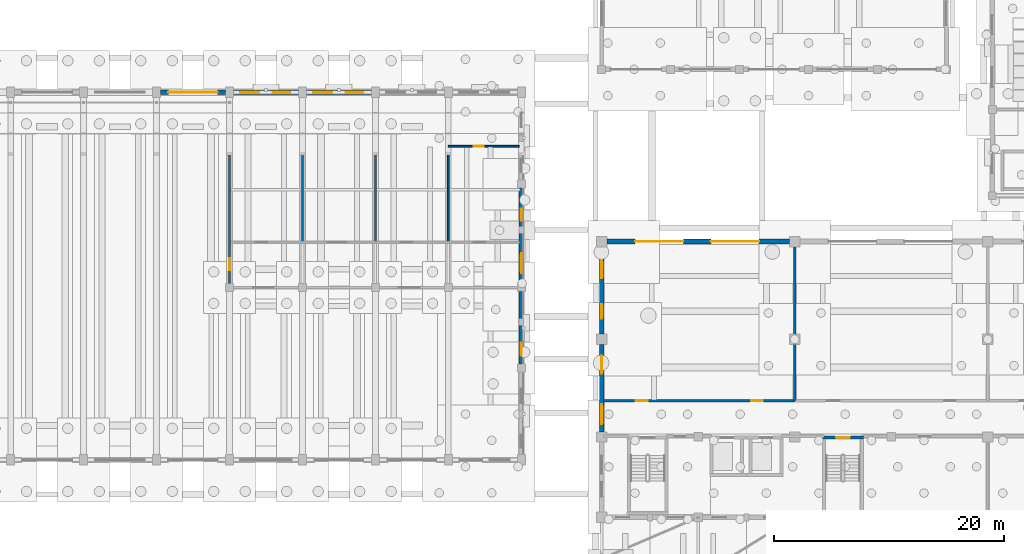
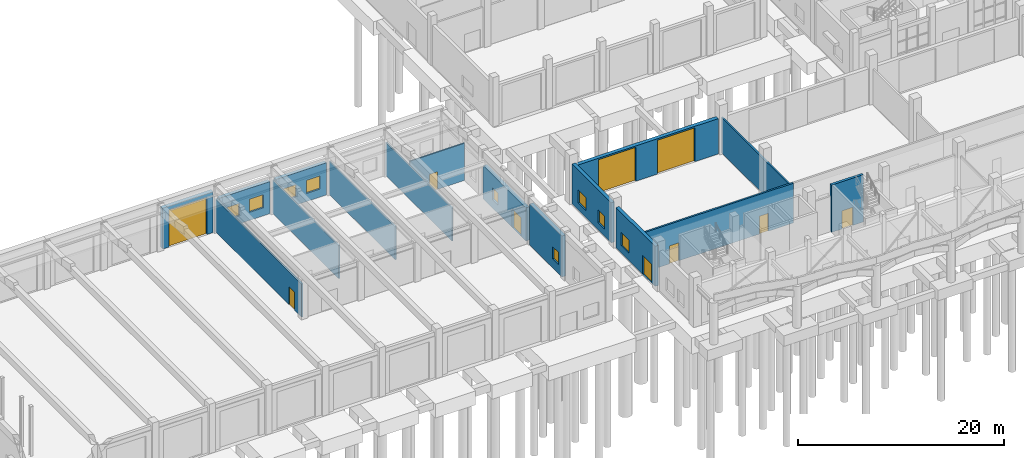
# One storey, part 39 of 60: 16 walls, 10 doors, 9 windows, 19 openings.
"""IFC4 building model written with IfcOpenShell, lengths in metres."""

from ifc_helpers import new_model, si_unit, direction, frame, frame_2d, origin, place, context, subcontext, project, spatial, rectangle, extrude, material, layer, layer_set, type_object, element, fill, save


model = new_model("IFC4")

# Units and contexts
model_context = context("Model", 3, precision=1e-05, world=origin(), true_north=direction((0.0, 1.0)))
body_context = subcontext(model_context, "Body", "Model", "MODEL_VIEW")
ifc_project = project(units=[si_unit("LENGTHUNIT", "METRE"), si_unit("AREAUNIT", "SQUARE_METRE"), si_unit("VOLUMEUNIT", "CUBIC_METRE"), si_unit("PLANEANGLEUNIT", "RADIAN"), si_unit("MASSUNIT", "GRAM", prefix="KILO")], contexts=[model_context])

# Site, building, storey
site_placement = place(None, origin())
site = spatial("IfcSite", under=ifc_project, at=site_placement, CompositionType="ELEMENT")
building_placement = place(site_placement, origin())
building = spatial("IfcBuilding", under=site, at=building_placement, Name="Trellovar Central Fire Station", CompositionType="ELEMENT")
storey_placement = place(building_placement, origin())
storey = spatial("IfcBuildingStorey", under=building, at=storey_placement, Name="L01", CompositionType="ELEMENT", Elevation=0.0)

# Wall, opening, door
ifc_material_1 = material(Name="Catalan polychrome brickwork with insulated cavity", Category="masonry")
ifc_layer_1 = layer(ifc_material_1, 0.419921875)
ifc_layer_set_1 = layer_set([ifc_layer_1], Name="Catalan polychrome brickwork with insulated cavity")
wall_type_1 = type_object("IfcWallType", Name="EW-1", PredefinedType="STANDARD", material=ifc_layer_set_1)
wall_1_placement = place(storey_placement, frame((72.75, 46.0, 0.0), z_axis=(0.0, 0.0, 1.0), x_axis=(-1.0, 0.0, 0.0)))
wall_1 = element("IfcWall", 1, at=wall_1_placement, inside=storey, type_object=wall_type_1, Name="V1 north facade bay 6", PredefinedType="STANDARD", context=body_context, shape_type="SweptSolid", body=[
    extrude(rectangle(XDim=5.64990234375, YDim=0.419921875, at=frame_2d((2.824951171875, 0.0))), origin(), (0.0, 0.0, 1.0), 4.840087890625),
])
opening_1_placement = place(wall_1_placement, frame((0.675048828125, 0.0, 0.0)))
opening_1 = element("IfcOpeningElement", 2, at=opening_1_placement, cuts=wall_1, Name="Opening BD-6", PredefinedType="OPENING", context=body_context, shape_type="SweptSolid", body=[
    extrude(rectangle(XDim=4.300048828125, YDim=4.39990234375, at=frame_2d((2.14990234375, 2.199951171875))), frame((0.0, 0.219970703125, 0.0), z_axis=(0.0, -1.0, 0.0), x_axis=(1.0, 0.0, 0.0)), (0.0, 0.0, 1.0), 0.43994140625),
])
ifc_material_2 = material(Name="Glazed terracotta-orange insulated steel roller shutter", Category="masonry")
door_type_1 = type_object("IfcDoorType", Name="DR-BAY6", OperationType="ROLLINGUP", PredefinedType="DOOR", material=ifc_material_2)
door_1_placement = place(opening_1_placement, origin())
door_1 = element("IfcDoor", 3, at=door_1_placement, inside=storey, type_object=door_type_1, Name="North yard drive-through bay 6 door", OperationType="ROLLINGUP", OverallHeight=4.39990234375, OverallWidth=4.300048828125, PredefinedType="DOOR", context=body_context, shape_type="SweptSolid", body=[
    extrude(rectangle(XDim=4.300048828125, YDim=4.39990234375, at=frame_2d((2.14990234375, 2.199951171875))), frame((0.0, 0.02490234375, 0.0), z_axis=(0.0, -1.0, 0.0), x_axis=(1.0, 0.0, 0.0)), (0.0, 0.0, 1.0), 0.050048828125),
])
fill(opening_1, door_1)

# Wall, opening, window
wall_2_placement = place(storey_placement, frame((98.5, 22.35009765625, 0.0), z_axis=(0.0, 0.0, 1.0), x_axis=(0.0, 1.0, 0.0)))
wall_2 = element("IfcWall", 4, at=wall_2_placement, inside=storey, type_object=wall_type_1, Name="V1 E gable lower wall 2", PredefinedType="STANDARD", context=body_context, shape_type="SweptSolid", body=[
    extrude(rectangle(XDim=6.2998046875, YDim=0.419921875, at=frame_2d((3.14990234375, 0.0))), origin(), (0.0, 0.0, 1.0), 4.840087890625),
])
opening_2_placement = place(wall_2_placement, frame((0.699951171875, 0.0, 1.050048828125)))
opening_2 = element("IfcOpeningElement", 5, at=opening_2_placement, cuts=wall_2, Name="Opening W-01", PredefinedType="OPENING", context=body_context, shape_type="SweptSolid", body=[
    extrude(rectangle(XDim=1.14990234375, YDim=1.449951171875, at=frame_2d((0.574951171875, 0.72509765625))), frame((0.0, 0.219970703125, 0.0), z_axis=(0.0, -1.0, 0.0), x_axis=(1.0, 0.0, 0.0)), (0.0, 0.0, 1.0), 0.43994140625),
])
ifc_material_3 = material(Name="Thermally broken bronze anodized aluminum", Category="aluminium")
window_type_1 = type_object("IfcWindowType", Name="WIN-01", PartitioningType="SINGLE_PANEL", PredefinedType="WINDOW", material=ifc_material_3)
window_1_placement = place(opening_2_placement, origin())
window_1 = element("IfcWindow", 6, at=window_1_placement, inside=storey, type_object=window_type_1, Name="L01 window W-01", OverallHeight=1.449951171875, OverallWidth=1.14990234375, PartitioningType="SINGLE_PANEL", PredefinedType="WINDOW", context=body_context, shape_type="SweptSolid", body=[
    extrude(rectangle(XDim=1.14990234375, YDim=1.449951171875, at=frame_2d((0.574951171875, 0.72509765625))), frame((0.0, 0.030029296875, 0.0), z_axis=(0.0, -1.0, 0.0), x_axis=(1.0, 0.0, 0.0)), (0.0, 0.0, 1.0), 0.06005859375),
])
fill(opening_2, window_1)

# Wall, openings, door, window
wall_3_placement = place(storey_placement, frame((98.5, 29.35009765625, 0.0), z_axis=(0.0, 0.0, 1.0), x_axis=(0.0, 1.0, 0.0)))
wall_3 = element("IfcWall", 7, at=wall_3_placement, inside=storey, type_object=wall_type_1, Name="V1 E gable lower wall 3", PredefinedType="STANDARD", context=body_context, shape_type="SweptSolid", body=[
    extrude(rectangle(XDim=8.2998046875, YDim=0.419921875, at=frame_2d((4.14990234375, 0.0))), origin(), (0.0, 0.0, 1.0), 3.927978515625),
])
opening_3_placement = place(wall_3_placement, frame((0.89990234375, 0.0, 0.0)))
opening_3 = element("IfcOpeningElement", 8, at=opening_3_placement, cuts=wall_3, Name="Opening EX-2", PredefinedType="OPENING", context=body_context, shape_type="SweptSolid", body=[
    extrude(rectangle(XDim=1.75, YDim=2.199951171875, at=frame_2d((0.875, 1.10009765625))), frame((0.0, 0.219970703125, 0.0), z_axis=(0.0, -1.0, 0.0), x_axis=(1.0, 0.0, 0.0)), (0.0, 0.0, 1.0), 0.43994140625),
])
opening_4_placement = place(wall_3_placement, frame((5.449951171875, 0.0, 1.0)))
opening_4 = element("IfcOpeningElement", 9, at=opening_4_placement, cuts=wall_3, Name="Opening W-11", PredefinedType="OPENING", context=body_context, shape_type="SweptSolid", body=[
    extrude(rectangle(XDim=1.050048828125, YDim=1.39990234375, at=frame_2d((0.52490234375, 0.699951171875))), frame((0.0, 0.219970703125, 0.0), z_axis=(0.0, -1.0, 0.0), x_axis=(1.0, 0.0, 0.0)), (0.0, 0.0, 1.0), 0.43994140625),
])
ifc_material_4 = material(Name="Hollow galvanized steel with acoustic core", Category="steel")
door_type_2 = type_object("IfcDoorType", Name="DR-EXT2", OperationType="DOUBLE_DOOR_SINGLE_SWING", PredefinedType="DOOR", material=ifc_material_4)
door_2_placement = place(opening_3_placement, frame((1.75, 0.0, 0.0), z_axis=(0.0, 0.0, 1.0), x_axis=(-1.0, 0.0, 0.0)))
door_2 = element("IfcDoor", 10, at=door_2_placement, inside=storey, type_object=door_type_2, Name="Bay support corridor east courtyard exit", OperationType="DOUBLE_DOOR_SINGLE_SWING", OverallHeight=2.199951171875, OverallWidth=1.75, PredefinedType="DOOR", context=body_context, shape_type="SweptSolid", body=[
    extrude(rectangle(XDim=1.75, YDim=2.199951171875, at=frame_2d((0.875, 1.10009765625))), frame((0.0, 0.02490234375, 0.0), z_axis=(0.0, -1.0, 0.0), x_axis=(1.0, 0.0, 0.0)), (0.0, 0.0, 1.0), 0.050048828125),
])
fill(opening_3, door_2)
ifc_material_5 = material(Name="Thermally broken bronze anodized aluminum", Category="aluminium")
window_type_2 = type_object("IfcWindowType", Name="WIN-11", PartitioningType="SINGLE_PANEL", PredefinedType="WINDOW", material=ifc_material_5)
window_2_placement = place(opening_4_placement, origin())
window_2 = element("IfcWindow", 11, at=window_2_placement, inside=storey, type_object=window_type_2, Name="L01 window W-11", OverallHeight=1.39990234375, OverallWidth=1.050048828125, PartitioningType="SINGLE_PANEL", PredefinedType="WINDOW", context=body_context, shape_type="SweptSolid", body=[
    extrude(rectangle(XDim=1.050048828125, YDim=1.39990234375, at=frame_2d((0.52490234375, 0.699951171875))), frame((0.0, 0.030029296875, 0.0), z_axis=(0.0, -1.0, 0.0), x_axis=(1.0, 0.0, 0.0)), (0.0, 0.0, 1.0), 0.06005859375),
])
fill(opening_4, window_2)

# Wall, openings, doors
wall_4_placement = place(storey_placement, frame((121.85009765625, 33.0, 0.0), z_axis=(0.0, 0.0, 1.0), x_axis=(-1.0, 0.0, 0.0)))
wall_4 = element("IfcWall", 12, at=wall_4_placement, inside=storey, type_object=wall_type_1, Name="V5 reserve bay 1 north wall", PredefinedType="STANDARD", context=body_context, shape_type="SweptSolid", body=[
    extrude(rectangle(XDim=15.900146484375, YDim=0.419921875, at=frame_2d((7.9501953125, 0.0))), origin(), (0.0, 0.0, 1.0), 4.18994140625),
])
opening_5_placement = place(wall_4_placement, frame((2.64990234375, 0.0, 0.0)))
opening_5 = element("IfcOpeningElement", 13, at=opening_5_placement, cuts=wall_4, Name="Opening BD-10", PredefinedType="OPENING", context=body_context, shape_type="SweptSolid", body=[
    extrude(rectangle(XDim=4.199951171875, YDim=4.02001953125, at=frame_2d((2.10009765625, 2.010009765625))), frame((0.0, 0.219970703125, 0.0), z_axis=(0.0, -1.0, 0.0), x_axis=(1.0, 0.0, 0.0)), (0.0, 0.0, 1.0), 0.43994140625),
])
opening_6_placement = place(wall_4_placement, frame((9.25, 0.0, 0.0)))
opening_6 = element("IfcOpeningElement", 14, at=opening_6_placement, cuts=wall_4, Name="Opening BD-10", PredefinedType="OPENING", context=body_context, shape_type="SweptSolid", body=[
    extrude(rectangle(XDim=4.199951171875, YDim=4.02001953125, at=frame_2d((2.10009765625, 2.010009765625))), frame((0.0, 0.219970703125, 0.0), z_axis=(0.0, -1.0, 0.0), x_axis=(1.0, 0.0, 0.0)), (0.0, 0.0, 1.0), 0.43994140625),
])
ifc_material_6 = material(Name="Glazed terracotta-orange insulated steel roller shutter", Category="masonry")
door_type_3 = type_object("IfcDoorType", Name="DR-BAY10", OperationType="ROLLINGUP", PredefinedType="DOOR", material=ifc_material_6)
door_3_placement = place(opening_5_placement, origin())
door_3 = element("IfcDoor", 15, at=door_3_placement, inside=storey, type_object=door_type_3, Name="Reserve apparatus bay 1 door A", OperationType="ROLLINGUP", OverallHeight=4.02001953125, OverallWidth=4.199951171875, PredefinedType="DOOR", context=body_context, shape_type="SweptSolid", body=[
    extrude(rectangle(XDim=4.199951171875, YDim=4.02001953125, at=frame_2d((2.10009765625, 2.010009765625))), frame((0.0, 0.02490234375, 0.0), z_axis=(0.0, -1.0, 0.0), x_axis=(1.0, 0.0, 0.0)), (0.0, 0.0, 1.0), 0.050048828125),
])
fill(opening_5, door_3)
door_4_placement = place(opening_6_placement, origin())
door_4 = element("IfcDoor", 16, at=door_4_placement, inside=storey, type_object=door_type_3, Name="Reserve apparatus bay 1 door B", OperationType="ROLLINGUP", OverallHeight=4.02001953125, OverallWidth=4.199951171875, PredefinedType="DOOR", context=body_context, shape_type="SweptSolid", body=[
    extrude(rectangle(XDim=4.199951171875, YDim=4.02001953125, at=frame_2d((2.10009765625, 2.010009765625))), frame((0.0, 0.02490234375, 0.0), z_axis=(0.0, -1.0, 0.0), x_axis=(1.0, 0.0, 0.0)), (0.0, 0.0, 1.0), 0.050048828125),
])
fill(opening_6, door_4)

# Wall, openings, door, window
ifc_material_7 = material(Name="Catalan polychrome brickwork with insulated cavity", Category="masonry")
ifc_layer_2 = layer(ifc_material_7, 0.3798828125)
ifc_layer_set_2 = layer_set([ifc_layer_2], Name="Catalan polychrome brickwork with insulated cavity")
wall_type_2 = type_object("IfcWallType", Name="EW-2", PredefinedType="STANDARD", material=ifc_layer_set_2)
wall_5_placement = place(storey_placement, frame((105.5, 24.050048828125, 0.0), z_axis=(0.0, 0.0, 1.0), x_axis=(0.0, -1.0, 0.0)))
wall_5 = element("IfcWall", 17, at=wall_5_placement, inside=storey, type_object=wall_type_2, Name="V5 L01 west court wall", PredefinedType="STANDARD", context=body_context, shape_type="SweptSolid", body=[
    extrude(rectangle(XDim=7.60009765625, YDim=0.3798828125, at=frame_2d((3.800048828125, 0.0))), origin(), (0.0, 0.0, 1.0), 4.75),
])
opening_7_placement = place(wall_5_placement, frame((5.199951171875, 0.0, 0.0)))
opening_7 = element("IfcOpeningElement", 18, at=opening_7_placement, cuts=wall_5, Name="Opening EX-2", PredefinedType="OPENING", context=body_context, shape_type="SweptSolid", body=[
    extrude(rectangle(XDim=1.75, YDim=2.199951171875, at=frame_2d((0.875, 1.10009765625))), frame((0.0, 0.199951171875, 0.0), z_axis=(0.0, -1.0, 0.0), x_axis=(1.0, 0.0, 0.0)), (0.0, 0.0, 1.0), 0.39990234375),
])
opening_8_placement = place(wall_5_placement, frame((1.0, 0.0, 0.85009765625)))
opening_8 = element("IfcOpeningElement", 19, at=opening_8_placement, cuts=wall_5, Name="Opening W-02", PredefinedType="OPENING", context=body_context, shape_type="SweptSolid", body=[
    extrude(rectangle(XDim=1.550048828125, YDim=1.550048828125, at=frame_2d((0.77490234375, 0.77490234375))), frame((0.0, 0.199951171875, 0.0), z_axis=(0.0, -1.0, 0.0), x_axis=(1.0, 0.0, 0.0)), (0.0, 0.0, 1.0), 0.39990234375),
])
door_5_placement = place(opening_7_placement, frame((1.75, 0.0, 0.0), z_axis=(0.0, 0.0, 1.0), x_axis=(-1.0, 0.0, 0.0)))
door_5 = element("IfcDoor", 20, at=door_5_placement, inside=storey, type_object=door_type_2, Name="HQ main corridor west court exit", OperationType="DOUBLE_DOOR_SINGLE_SWING", OverallHeight=2.199951171875, OverallWidth=1.75, PredefinedType="DOOR", context=body_context, shape_type="SweptSolid", body=[
    extrude(rectangle(XDim=1.75, YDim=2.199951171875, at=frame_2d((0.875, 1.10009765625))), frame((0.0, 0.02490234375, 0.0), z_axis=(0.0, -1.0, 0.0), x_axis=(1.0, 0.0, 0.0)), (0.0, 0.0, 1.0), 0.050048828125),
])
fill(opening_7, door_5)
ifc_material_8 = material(Name="Thermally broken bronze anodized aluminum", Category="aluminium")
window_type_3 = type_object("IfcWindowType", Name="WIN-02", PartitioningType="DOUBLE_PANEL_VERTICAL", PredefinedType="WINDOW", material=ifc_material_8)
window_3_placement = place(opening_8_placement, origin())
window_3 = element("IfcWindow", 21, at=window_3_placement, inside=storey, type_object=window_type_3, Name="L01 window W-02", OverallHeight=1.550048828125, OverallWidth=1.550048828125, PartitioningType="DOUBLE_PANEL_VERTICAL", PredefinedType="WINDOW", context=body_context, shape_type="SweptSolid", body=[
    extrude(rectangle(XDim=1.550048828125, YDim=1.550048828125, at=frame_2d((0.77490234375, 0.77490234375))), frame((0.0, 0.030029296875, 0.0), z_axis=(0.0, -1.0, 0.0), x_axis=(1.0, 0.0, 0.0)), (0.0, 0.0, 1.0), 0.06005859375),
])
fill(opening_8, window_3)

# Wall, openings, windows
wall_6_placement = place(storey_placement, frame((105.5, 32.550048828125, 0.0), z_axis=(0.0, 0.0, 1.0), x_axis=(0.0, -1.0, 0.0)))
wall_6 = element("IfcWall", 22, at=wall_6_placement, inside=storey, type_object=wall_type_2, Name="V5 L01 west court wall", PredefinedType="STANDARD", context=body_context, shape_type="SweptSolid", body=[
    extrude(rectangle(XDim=7.60009765625, YDim=0.3798828125, at=frame_2d((3.800048828125, 0.0))), origin(), (0.0, 0.0, 1.0), 4.75),
])
opening_9_placement = place(wall_6_placement, frame((1.199951171875, 0.0, 0.85009765625)))
opening_9 = element("IfcOpeningElement", 23, at=opening_9_placement, cuts=wall_6, Name="Opening W-02", PredefinedType="OPENING", context=body_context, shape_type="SweptSolid", body=[
    extrude(rectangle(XDim=1.550048828125, YDim=1.550048828125, at=frame_2d((0.77490234375, 0.77490234375))), frame((0.0, 0.199951171875, 0.0), z_axis=(0.0, -1.0, 0.0), x_axis=(1.0, 0.0, 0.0)), (0.0, 0.0, 1.0), 0.39990234375),
])
opening_10_placement = place(wall_6_placement, frame((5.0, 0.0, 0.85009765625)))
opening_10 = element("IfcOpeningElement", 24, at=opening_10_placement, cuts=wall_6, Name="Opening W-14", PredefinedType="OPENING", context=body_context, shape_type="SweptSolid", body=[
    extrude(rectangle(XDim=1.25, YDim=1.5, at=frame_2d((0.625, 0.75))), frame((0.0, 0.199951171875, 0.0), z_axis=(0.0, -1.0, 0.0), x_axis=(1.0, 0.0, 0.0)), (0.0, 0.0, 1.0), 0.39990234375),
])
window_4_placement = place(opening_9_placement, origin())
window_4 = element("IfcWindow", 25, at=window_4_placement, inside=storey, type_object=window_type_3, Name="L01 window W-02", OverallHeight=1.550048828125, OverallWidth=1.550048828125, PartitioningType="DOUBLE_PANEL_VERTICAL", PredefinedType="WINDOW", context=body_context, shape_type="SweptSolid", body=[
    extrude(rectangle(XDim=1.550048828125, YDim=1.550048828125, at=frame_2d((0.77490234375, 0.77490234375))), frame((0.0, 0.030029296875, 0.0), z_axis=(0.0, -1.0, 0.0), x_axis=(1.0, 0.0, 0.0)), (0.0, 0.0, 1.0), 0.06005859375),
])
fill(opening_9, window_4)
ifc_material_9 = material(Name="Thermally broken bronze anodized aluminum", Category="aluminium")
window_type_4 = type_object("IfcWindowType", Name="WIN-14", PartitioningType="SINGLE_PANEL", PredefinedType="WINDOW", material=ifc_material_9)
window_5_placement = place(opening_10_placement, origin())
window_5 = element("IfcWindow", 26, at=window_5_placement, inside=storey, type_object=window_type_4, Name="L01 window W-14", OverallHeight=1.5, OverallWidth=1.25, PartitioningType="SINGLE_PANEL", PredefinedType="WINDOW", context=body_context, shape_type="SweptSolid", body=[
    extrude(rectangle(XDim=1.25, YDim=1.5, at=frame_2d((0.625, 0.75))), frame((0.0, 0.030029296875, 0.0), z_axis=(0.0, -1.0, 0.0), x_axis=(1.0, 0.0, 0.0)), (0.0, 0.0, 1.0), 0.06005859375),
])
fill(opening_10, window_5)

ifc_material_10 = material(Name="Catalan polychrome brickwork with insulated cavity", Category="masonry")
ifc_layer_3 = layer(ifc_material_10, 0.39990234375)
ifc_layer_set_3 = layer_set([ifc_layer_3], Name="Catalan polychrome brickwork with insulated cavity")
wall_type_3 = type_object("IfcWallType", Name="EW-7", PredefinedType="STANDARD", material=ifc_layer_set_3)
wall_7_placement = place(storey_placement, frame((79.10009765625, 46.0, 0.0), z_axis=(0.0, 0.0, 1.0), x_axis=(-1.0, 0.0, 0.0)))
wall_7 = element("IfcWall", 27, at=wall_7_placement, inside=storey, type_object=wall_type_3, Name="V1 north facade bay 7", PredefinedType="STANDARD", context=body_context, shape_type="SweptSolid", body=[
    extrude(rectangle(XDim=5.650146484375, YDim=0.39990234375, at=frame_2d((2.8251953125, 0.0))), origin(), (0.0, 0.0, 1.0), 3.800048828125),
])
opening_11_placement = place(wall_7_placement, frame((0.699951171875, 0.0, 0.949951171875)))
opening_11 = element("IfcOpeningElement", 28, at=opening_11_placement, cuts=wall_7, Name="Opening W-02", PredefinedType="OPENING", context=body_context, shape_type="SweptSolid", body=[
    extrude(rectangle(XDim=1.550048828125, YDim=1.550048828125, at=frame_2d((0.77490234375, 0.77490234375))), frame((0.0, 0.2099609375, 0.0), z_axis=(0.0, -1.0, 0.0), x_axis=(1.0, 0.0, 0.0)), (0.0, 0.0, 1.0), 0.419921875),
])
opening_12_placement = place(wall_7_placement, frame((3.39990234375, 0.0, 0.949951171875)))
opening_12 = element("IfcOpeningElement", 29, at=opening_12_placement, cuts=wall_7, Name="Opening W-12", PredefinedType="OPENING", context=body_context, shape_type="SweptSolid", body=[
    extrude(rectangle(XDim=1.64990234375, YDim=1.449951171875, at=frame_2d((0.824951171875, 0.72509765625))), frame((0.0, 0.2099609375, 0.0), z_axis=(0.0, -1.0, 0.0), x_axis=(1.0, 0.0, 0.0)), (0.0, 0.0, 1.0), 0.419921875),
])
window_6_placement = place(opening_11_placement, origin())
window_6 = element("IfcWindow", 30, at=window_6_placement, inside=storey, type_object=window_type_3, Name="North concave tail bay 7 window A", OverallHeight=1.550048828125, OverallWidth=1.550048828125, PartitioningType="DOUBLE_PANEL_VERTICAL", PredefinedType="WINDOW", context=body_context, shape_type="SweptSolid", body=[
    extrude(rectangle(XDim=1.550048828125, YDim=1.550048828125, at=frame_2d((0.77490234375, 0.77490234375))), frame((0.0, 0.030029296875, 0.0), z_axis=(0.0, -1.0, 0.0), x_axis=(1.0, 0.0, 0.0)), (0.0, 0.0, 1.0), 0.06005859375),
])
fill(opening_11, window_6)
ifc_material_11 = material(Name="Thermally broken bronze anodized aluminum", Category="aluminium")
window_type_5 = type_object("IfcWindowType", Name="WIN-12", PartitioningType="DOUBLE_PANEL_VERTICAL", PredefinedType="WINDOW", material=ifc_material_11)
window_7_placement = place(opening_12_placement, origin())
window_7 = element("IfcWindow", 31, at=window_7_placement, inside=storey, type_object=window_type_5, Name="North concave tail bay 7 window B", OverallHeight=1.449951171875, OverallWidth=1.64990234375, PartitioningType="DOUBLE_PANEL_VERTICAL", PredefinedType="WINDOW", context=body_context, shape_type="SweptSolid", body=[
    extrude(rectangle(XDim=1.64990234375, YDim=1.449951171875, at=frame_2d((0.824951171875, 0.72509765625))), frame((0.0, 0.030029296875, 0.0), z_axis=(0.0, -1.0, 0.0), x_axis=(1.0, 0.0, 0.0)), (0.0, 0.0, 1.0), 0.06005859375),
])
fill(opening_12, window_7)

wall_8_placement = place(storey_placement, frame((85.449951171875, 46.0, 0.0), z_axis=(0.0, 0.0, 1.0), x_axis=(-1.0, 0.0, 0.0)))
wall_8 = element("IfcWall", 32, at=wall_8_placement, inside=storey, type_object=wall_type_3, Name="V1 north facade bay 8", PredefinedType="STANDARD", context=body_context, shape_type="SweptSolid", body=[
    extrude(rectangle(XDim=5.64990234375, YDim=0.39990234375, at=frame_2d((2.824951171875, 0.0))), origin(), (0.0, 0.0, 1.0), 3.800048828125),
])
opening_13_placement = place(wall_8_placement, frame((0.699951171875, 0.0, 0.949951171875)))
opening_13 = element("IfcOpeningElement", 33, at=opening_13_placement, cuts=wall_8, Name="Opening W-02", PredefinedType="OPENING", context=body_context, shape_type="SweptSolid", body=[
    extrude(rectangle(XDim=1.550048828125, YDim=1.550048828125, at=frame_2d((0.77490234375, 0.77490234375))), frame((0.0, 0.2099609375, 0.0), z_axis=(0.0, -1.0, 0.0), x_axis=(1.0, 0.0, 0.0)), (0.0, 0.0, 1.0), 0.419921875),
])
opening_14_placement = place(wall_8_placement, frame((3.39990234375, 0.0, 0.949951171875)))
opening_14 = element("IfcOpeningElement", 34, at=opening_14_placement, cuts=wall_8, Name="Opening W-12", PredefinedType="OPENING", context=body_context, shape_type="SweptSolid", body=[
    extrude(rectangle(XDim=1.64990234375, YDim=1.449951171875, at=frame_2d((0.824951171875, 0.72509765625))), frame((0.0, 0.2099609375, 0.0), z_axis=(0.0, -1.0, 0.0), x_axis=(1.0, 0.0, 0.0)), (0.0, 0.0, 1.0), 0.419921875),
])
window_8_placement = place(opening_13_placement, origin())
window_8 = element("IfcWindow", 35, at=window_8_placement, inside=storey, type_object=window_type_3, Name="North concave tail bay 8 window A", OverallHeight=1.550048828125, OverallWidth=1.550048828125, PartitioningType="DOUBLE_PANEL_VERTICAL", PredefinedType="WINDOW", context=body_context, shape_type="SweptSolid", body=[
    extrude(rectangle(XDim=1.550048828125, YDim=1.550048828125, at=frame_2d((0.77490234375, 0.77490234375))), frame((0.0, 0.030029296875, 0.0), z_axis=(0.0, -1.0, 0.0), x_axis=(1.0, 0.0, 0.0)), (0.0, 0.0, 1.0), 0.06005859375),
])
fill(opening_13, window_8)
window_9_placement = place(opening_14_placement, origin())
window_9 = element("IfcWindow", 36, at=window_9_placement, inside=storey, type_object=window_type_5, Name="North concave tail bay 8 window B", OverallHeight=1.449951171875, OverallWidth=1.64990234375, PartitioningType="DOUBLE_PANEL_VERTICAL", PredefinedType="WINDOW", context=body_context, shape_type="SweptSolid", body=[
    extrude(rectangle(XDim=1.64990234375, YDim=1.449951171875, at=frame_2d((0.824951171875, 0.72509765625))), frame((0.0, 0.030029296875, 0.0), z_axis=(0.0, -1.0, 0.0), x_axis=(1.0, 0.0, 0.0)), (0.0, 0.0, 1.0), 0.06005859375),
])
fill(opening_14, window_9)

# Wall, openings, doors
ifc_material_12 = material(Name="Acoustic concrete masonry unit", Category="masonry")
ifc_layer_4 = layer(ifc_material_12, 0.199951171875)
ifc_layer_set_4 = layer_set([ifc_layer_4], Name="Acoustic concrete masonry unit")
wall_type_4 = type_object("IfcWallType", Name="PT-1", PredefinedType="PARTITIONING", material=ifc_layer_set_4)
wall_9_placement = place(storey_placement, frame((105.64990234375, 19.14990234375, 0.0), z_axis=(0.0, 0.0, 1.0), x_axis=(1.0, 0.0, 0.0)))
wall_9 = element("IfcWall", 37, at=wall_9_placement, inside=storey, type_object=wall_type_4, Name="V5 L01 north corridor spine", PredefinedType="PARTITIONING", context=body_context, shape_type="SweptSolid", body=[
    extrude(rectangle(XDim=16.650146484375, YDim=0.199951171875, at=frame_2d((8.3251953125, 0.0))), origin(), (0.0, 0.0, 1.0), 4.699951171875),
])
opening_15_placement = place(wall_9_placement, frame((2.800048828125, 0.0, 0.0)))
opening_15 = element("IfcOpeningElement", 38, at=opening_15_placement, cuts=wall_9, Name="Opening ID-5", PredefinedType="OPENING", context=body_context, shape_type="SweptSolid", body=[
    extrude(rectangle(XDim=1.050048828125, YDim=2.139892578125, at=frame_2d((0.52490234375, 1.06982421875))), frame((0.0, 0.10986328125, 0.0), z_axis=(0.0, -1.0, 0.0), x_axis=(1.0, 0.0, 0.0)), (0.0, 0.0, 1.0), 0.219970703125),
])
opening_16_placement = place(wall_9_placement, frame((12.85009765625, 0.0, 0.0)))
opening_16 = element("IfcOpeningElement", 39, at=opening_16_placement, cuts=wall_9, Name="Opening ID-1", PredefinedType="OPENING", context=body_context, shape_type="SweptSolid", body=[
    extrude(rectangle(XDim=1.0, YDim=2.1201171875, at=frame_2d((0.5, 1.06005859375))), frame((0.0, 0.10986328125, 0.0), z_axis=(0.0, -1.0, 0.0), x_axis=(1.0, 0.0, 0.0)), (0.0, 0.0, 1.0), 0.219970703125),
])
ifc_material_13 = material(Name="Solid core acoustic white oak veneer", Category="wood")
door_type_4 = type_object("IfcDoorType", Name="DR-INT1", OperationType="SINGLE_SWING_LEFT", PredefinedType="DOOR", material=ifc_material_13)
door_6_placement = place(opening_16_placement, origin())
door_6 = element("IfcDoor", 40, at=door_6_placement, inside=storey, type_object=door_type_4, Name="V5 L01 north secondary egress door", OperationType="SINGLE_SWING_LEFT", OverallHeight=2.1201171875, OverallWidth=1.0, PredefinedType="DOOR", context=body_context, shape_type="SweptSolid", body=[
    extrude(rectangle(XDim=1.0, YDim=2.1201171875, at=frame_2d((0.5, 1.06005859375))), frame((0.0, 0.02490234375, 0.0), z_axis=(0.0, -1.0, 0.0), x_axis=(1.0, 0.0, 0.0)), (0.0, 0.0, 1.0), 0.050048828125),
])
fill(opening_16, door_6)
ifc_material_14 = material(Name="Hollow galvanized steel with acoustic core", Category="steel")
door_type_5 = type_object("IfcDoorType", Name="DR-INT5", OperationType="SINGLE_SWING_LEFT", PredefinedType="DOOR", material=ifc_material_14)
door_7_placement = place(opening_15_placement, origin())
door_7 = element("IfcDoor", 41, at=door_7_placement, inside=storey, type_object=door_type_5, Name="V5 L01 north hall door", OperationType="SINGLE_SWING_RIGHT", OverallHeight=2.139892578125, OverallWidth=1.050048828125, PredefinedType="DOOR", context=body_context, shape_type="SweptSolid", body=[
    extrude(rectangle(XDim=1.050048828125, YDim=2.139892578125, at=frame_2d((0.52490234375, 1.06982421875))), frame((0.0, 0.02490234375, 0.0), z_axis=(0.0, -1.0, 0.0), x_axis=(1.0, 0.0, 0.0)), (0.0, 0.0, 1.0), 0.050048828125),
])
fill(opening_15, door_7)

# Wall, opening, door
ifc_material_15 = material(Name="Fire-rated acoustic gypsum stud partition", Category="gypsum")
ifc_layer_5 = layer(ifc_material_15, 0.139892578125)
ifc_layer_set_5 = layer_set([ifc_layer_5], Name="Fire-rated acoustic gypsum stud partition")
wall_type_5 = type_object("IfcWallType", Name="PT-3", PredefinedType="PARTITIONING", material=ifc_layer_set_5)
wall_10_placement = place(storey_placement, frame((92.14990234375, 41.300048828125, 0.0), z_axis=(0.0, 0.0, 1.0), x_axis=(1.0, 0.0, 0.0)))
wall_10 = element("IfcWall", 42, at=wall_10_placement, inside=storey, type_object=wall_type_5, Name="Bay duty WC partition", PredefinedType="PARTITIONING", context=body_context, shape_type="SweptSolid", body=[
    extrude(rectangle(XDim=6.150146484375, YDim=0.139892578125, at=frame_2d((3.0751953125, 0.0))), origin(), (0.0, 0.0, 1.0), 4.39990234375),
])
opening_17_placement = place(wall_10_placement, frame((2.199951171875, 0.0, 0.0)))
opening_17 = element("IfcOpeningElement", 43, at=opening_17_placement, cuts=wall_10, Name="Opening ID-11", PredefinedType="OPENING", context=body_context, shape_type="SweptSolid", body=[
    extrude(rectangle(XDim=0.89990234375, YDim=2.080078125, at=frame_2d((0.449951171875, 1.0400390625))), frame((0.0, 0.079833984375, 0.0), z_axis=(0.0, -1.0, 0.0), x_axis=(1.0, 0.0, 0.0)), (0.0, 0.0, 1.0), 0.159912109375),
])
ifc_material_16 = material(Name="Solid core acoustic white oak veneer", Category="wood")
door_type_6 = type_object("IfcDoorType", Name="DR-INT11", OperationType="SINGLE_SWING_LEFT", PredefinedType="DOOR", material=ifc_material_16)
door_8_placement = place(opening_17_placement, origin())
door_8 = element("IfcDoor", 44, at=door_8_placement, inside=storey, type_object=door_type_6, Name="Bay duty accessible WC door", OperationType="SINGLE_SWING_LEFT", OverallHeight=2.080078125, OverallWidth=0.89990234375, PredefinedType="DOOR", context=body_context, shape_type="SweptSolid", body=[
    extrude(rectangle(XDim=0.89990234375, YDim=2.080078125, at=frame_2d((0.449951171875, 1.0400390625))), frame((0.0, 0.02490234375, 0.0), z_axis=(0.0, -1.0, 0.0), x_axis=(1.0, 0.0, 0.0)), (0.0, 0.0, 1.0), 0.050048828125),
])
fill(opening_17, door_8)

ifc_material_17 = material(Name="Acoustic concrete masonry unit", Category="masonry")
ifc_layer_6 = layer(ifc_material_17, 0.179931640625)
ifc_layer_set_6 = layer_set([ifc_layer_6], Name="Acoustic concrete masonry unit")
wall_type_6 = type_object("IfcWallType", Name="PT-5", PredefinedType="PARTITIONING", material=ifc_layer_set_6)
wall_11_placement = place(storey_placement, frame((73.10009765625, 29.10009765625, 0.0), z_axis=(0.0, 0.0, 1.0), x_axis=(0.0, 1.0, 0.0)))
wall_11 = element("IfcWall", 45, at=wall_11_placement, inside=storey, type_object=wall_type_6, Name="V1 north tail west wall", PredefinedType="PARTITIONING", context=body_context, shape_type="SweptSolid", body=[
    extrude(rectangle(XDim=16.699951171875, YDim=0.179931640625, at=frame_2d((8.35009765625, 0.0))), origin(), (0.0, 0.0, 1.0), 3.927978515625),
])
opening_18_placement = place(wall_11_placement, frame((1.39990234375, 0.0, 0.0)))
opening_18 = element("IfcOpeningElement", 46, at=opening_18_placement, cuts=wall_11, Name="Opening ID-5", PredefinedType="OPENING", context=body_context, shape_type="SweptSolid", body=[
    extrude(rectangle(XDim=1.050048828125, YDim=2.139892578125, at=frame_2d((0.52490234375, 1.06982421875))), frame((0.0, 0.099853515625, 0.0), z_axis=(0.0, -1.0, 0.0), x_axis=(1.0, 0.0, 0.0)), (0.0, 0.0, 1.0), 0.199951171875),
])
door_9_placement = place(opening_18_placement, origin())
door_9 = element("IfcDoor", 47, at=door_9_placement, inside=storey, type_object=door_type_5, Name="Drive-through bay 6 to watch corridor door", OperationType="SINGLE_SWING_LEFT", OverallHeight=2.139892578125, OverallWidth=1.050048828125, PredefinedType="DOOR", context=body_context, shape_type="SweptSolid", body=[
    extrude(rectangle(XDim=1.050048828125, YDim=2.139892578125, at=frame_2d((0.52490234375, 1.06982421875))), frame((0.0, 0.02490234375, 0.0), z_axis=(0.0, -1.0, 0.0), x_axis=(1.0, 0.0, 0.0)), (0.0, 0.0, 1.0), 0.050048828125),
])
fill(opening_18, door_9)

# Walls
wall_12_placement = place(storey_placement, frame((122.300048828125, 19.14990234375, 0.0), z_axis=(0.0, 0.0, 1.0), x_axis=(0.0, 1.0, 0.0)))
element("IfcWall", 48, at=wall_12_placement, inside=storey, type_object=wall_type_6, Name="V5 L01 north bay divider X=122.3", PredefinedType="PARTITIONING", context=body_context, shape_type="SweptSolid", body=[
    extrude(rectangle(XDim=13.7001953125, YDim=0.179931640625, at=frame_2d((6.85009765625, 0.0))), origin(), (0.0, 0.0, 1.0), 4.18994140625),
])
ifc_material_18 = material(Name="Fire-rated acoustic gypsum stud partition", Category="gypsum")
ifc_layer_7 = layer(ifc_material_18, 0.14990234375)
ifc_layer_set_7 = layer_set([ifc_layer_7], Name="Fire-rated acoustic gypsum stud partition")
wall_type_7 = type_object("IfcWallType", Name="PT-6", PredefinedType="PARTITIONING", material=ifc_layer_set_7)
for number, where, z_axis, x_axis, name in (
    (49, (79.449951171875, 32.949951171875, 0.0), (0.0, 0.0, 1.0), (0.0, 1.0, 0.0), "V1 north tail room divider X=79.45"),
    (50, (85.800048828125, 32.949951171875, 0.0), (0.0, 0.0, 1.0), (0.0, 1.0, 0.0), "V1 north tail room divider X=85.80"),
    (51, (92.14990234375, 32.949951171875, 0.0), (0.0, 0.0, 1.0), (0.0, 1.0, 0.0), "V1 north tail room divider X=92.15"),
):
    element("IfcWall", number, at=place(storey_placement, frame(where, z_axis=z_axis, x_axis=x_axis)), inside=storey, type_object=wall_type_7, Name=name, PredefinedType="PARTITIONING", context=body_context, shape_type="SweptSolid", body=[
        extrude(rectangle(XDim=12.85009765625, YDim=0.14990234375, at=frame_2d((6.425048828125, 0.0))), origin(), (0.0, 0.0, 1.0), 3.927978515625),
    ])

# Wall, opening, door
ifc_material_19 = material(Name="Concrete C40/50", Category="concrete")
ifc_layer_8 = layer(ifc_material_19, 0.280029296875)
ifc_layer_set_8 = layer_set([ifc_layer_8], Name="Concrete C40/50")
wall_type_8 = type_object("IfcWallType", Name="SW-1", PredefinedType="SHEAR", material=ifc_layer_set_8)
wall_13_placement = place(storey_placement, frame((124.719970703125, 15.93994140625, 0.0), z_axis=(0.0, 0.0, 1.0), x_axis=(1.0, 0.0, 0.0)))
wall_13 = element("IfcWall", 52, at=wall_13_placement, inside=storey, type_object=wall_type_8, Name="Stair ST-02 L01 front corridor wall", PredefinedType="SHEAR", context=body_context, shape_type="SweptSolid", body=[
    extrude(rectangle(XDim=3.56005859375, YDim=0.280029296875, at=frame_2d((1.780029296875, 0.0))), origin(), (0.0, 0.0, 1.0), 5.60009765625),
])
opening_19_placement = place(wall_13_placement, frame((1.179931640625, 0.0, 0.0)))
opening_19 = element("IfcOpeningElement", 53, at=opening_19_placement, cuts=wall_13, Name="Opening SD-1", PredefinedType="OPENING", context=body_context, shape_type="SweptSolid", body=[
    extrude(rectangle(XDim=1.199951171875, YDim=2.14990234375, at=frame_2d((0.60009765625, 1.074951171875))), frame((0.0, 0.14990234375, 0.0), z_axis=(0.0, -1.0, 0.0), x_axis=(1.0, 0.0, 0.0)), (0.0, 0.0, 1.0), 0.300048828125),
])
ifc_material_20 = material(Name="Hollow galvanized steel with acoustic core", Category="steel")
door_type_7 = type_object("IfcDoorType", Name="DR-STR1", OperationType="SINGLE_SWING_LEFT", PredefinedType="DOOR", material=ifc_material_20)
door_10_placement = place(opening_19_placement, origin())
door_10 = element("IfcDoor", 54, at=door_10_placement, inside=storey, type_object=door_type_7, Name="Stair ST-02 L01 fire door", OperationType="SINGLE_SWING_LEFT", OverallHeight=2.14990234375, OverallWidth=1.199951171875, PredefinedType="DOOR", context=body_context, shape_type="SweptSolid", body=[
    extrude(rectangle(XDim=1.199951171875, YDim=2.14990234375, at=frame_2d((0.60009765625, 1.074951171875))), frame((0.0, 0.02490234375, 0.0), z_axis=(0.0, -1.0, 0.0), x_axis=(1.0, 0.0, 0.0)), (0.0, 0.0, 1.0), 0.050048828125),
])
fill(opening_19, door_10)

save(model, "model.ifc")
